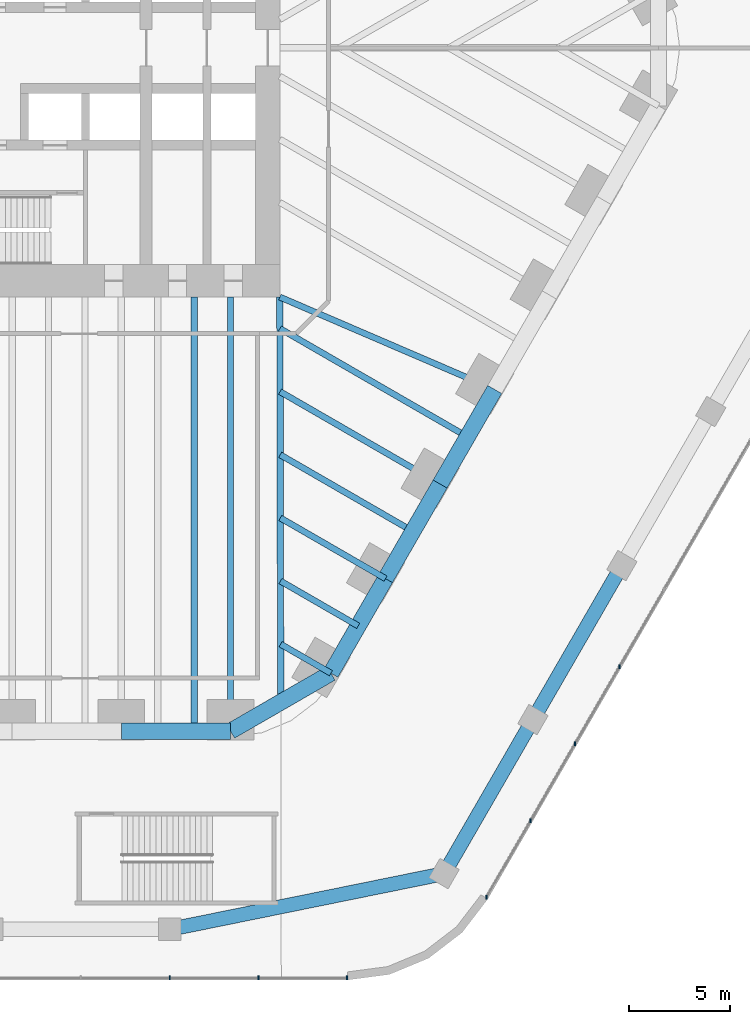
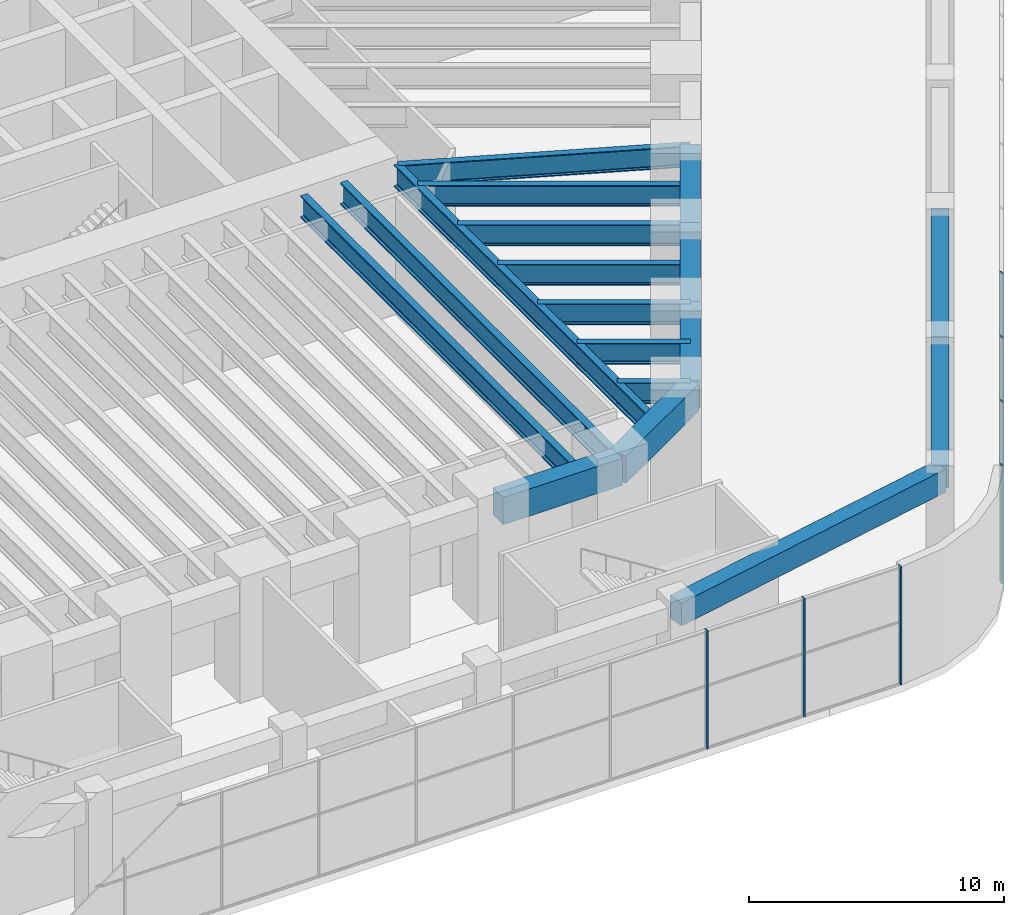
# One storey, part 11 of 31: 18 beams, 7 members, 2 elements without a shape of their own.
"""IFC4 building model written with IfcOpenShell, lengths in metres."""

from ifc_helpers import new_model, si_unit, direction, frame, origin, origin_2d, place, context, subcontext, project, spatial, rectangle, i_section, extrude, material, material_profile, profile_set, type_object, element, aggregate, save


model = new_model("IFC4")

# Units and contexts
model_context = context("Model", 3, precision=1e-05, world=origin(), true_north=direction((0.0, 1.0)))
body_context = subcontext(model_context, "Body", "Model", "MODEL_VIEW")
ifc_project = project(units=[si_unit("LENGTHUNIT", "METRE"), si_unit("AREAUNIT", "SQUARE_METRE"), si_unit("VOLUMEUNIT", "CUBIC_METRE"), si_unit("PLANEANGLEUNIT", "RADIAN"), si_unit("MASSUNIT", "GRAM", prefix="KILO")], contexts=[model_context])

# Site, building, storey
site_placement = place(None, origin())
site = spatial("IfcSite", under=ifc_project, at=site_placement, CompositionType="ELEMENT")
building_placement = place(site_placement, origin())
building = spatial("IfcBuilding", under=site, at=building_placement, Name="Tarfa Lantern Tower", CompositionType="ELEMENT")
storey_placement = place(building_placement, frame((0.0, 0.0, 7.0)))
storey = spatial("IfcBuildingStorey", under=building, at=storey_placement, Name="L01", CompositionType="ELEMENT", Elevation=7.0)

# Curtain wall, members
ifc_material_1 = material(Name="Aluminium framed curtain wall", Category="aluminium")
curtain_wall_type = type_object("IfcCurtainWallType", Name="CW7 PODIUM GLAZING 5650", PredefinedType="USERDEFINED", material=ifc_material_1)
curtain_wall_1_placement = place(storey_placement, origin())
curtain_wall_1 = element("IfcCurtainWall", 1, at=curtain_wall_1_placement, inside=storey, type_object=curtain_wall_type, Name="CW7 S L01", ObjectType="CURTAIN WALL", PredefinedType="USERDEFINED")
ifc_material_2 = material(Name="Aluminium mullion", Category="aluminium")
ifc_material_profile_1 = material_profile(ifc_material_2, rectangle(XDim=0.06494140625, YDim=0.199951171875, at=origin_2d()), Name="AL MULLION 65x200")
ifc_profile_set_1 = profile_set([ifc_material_profile_1], Name="Aluminium mullion")
member_type = type_object("IfcMemberType", Name="CWM1 MULLION 65x200", PredefinedType="MULLION", material=ifc_profile_set_1)
member_1_placement = place(storey_placement, frame((13.16357421875, -45.89990234375, 0.0), z_axis=(0.0, 0.0, 1.0), x_axis=(1.0, 0.0, 0.0)))
member_1 = element("IfcMember", 2, at=member_1_placement, type_object=member_type, Name="CW7 mullion 9", PredefinedType="MULLION", context=body_context, shape_type="SweptSolid", body=[
    extrude(rectangle(XDim=0.06494140625, YDim=0.199951171875, at=origin_2d()), origin(), (0.0, 0.0, 1.0), 5.64990234375),
])
member_2_placement = place(storey_placement, frame((17.551513671875, -45.89990234375, 0.0), z_axis=(0.0, 0.0, 1.0), x_axis=(1.0, 0.0, 0.0)))
member_2 = element("IfcMember", 3, at=member_2_placement, type_object=member_type, Name="CW7 mullion 10", PredefinedType="MULLION", context=body_context, shape_type="SweptSolid", body=[
    extrude(rectangle(XDim=0.06494140625, YDim=0.199951171875, at=origin_2d()), origin(), (0.0, 0.0, 1.0), 5.64990234375),
])
member_3_placement = place(storey_placement, frame((21.90673828125, -45.89990234375, 0.0), z_axis=(0.0, 0.0, 1.0), x_axis=(1.0, 0.0, 0.0)))
member_3 = element("IfcMember", 4, at=member_3_placement, type_object=member_type, Name="CW7 mullion 11", PredefinedType="MULLION", context=body_context, shape_type="SweptSolid", body=[
    extrude(rectangle(XDim=0.06494140625, YDim=0.199951171875, at=origin_2d()), origin(), (0.0, 0.0, 1.0), 5.64990234375),
])
aggregate(curtain_wall_1, [member_1, member_2, member_3])

curtain_wall_2_placement = place(storey_placement, origin())
curtain_wall_2 = element("IfcCurtainWall", 5, at=curtain_wall_2_placement, inside=storey, type_object=curtain_wall_type, Name="CW7 SE L01", ObjectType="CURTAIN WALL", PredefinedType="USERDEFINED")
member_4_placement = place(storey_placement, frame((28.797119140625, -41.921875, 0.0), z_axis=(0.0, 0.0, 1.0), x_axis=(1.0, 0.0, 0.0)))
member_4 = element("IfcMember", 6, at=member_4_placement, type_object=member_type, Name="CW7 mullion 1", PredefinedType="MULLION", context=body_context, shape_type="SweptSolid", body=[
    extrude(rectangle(XDim=0.06494140625, YDim=0.199951171875, at=origin_2d()), origin(), (0.0, 0.0, 1.0), 5.64990234375),
])
member_5_placement = place(storey_placement, frame((30.974853515625, -38.14990234375, 0.0), z_axis=(0.0, 0.0, 1.0), x_axis=(1.0, 0.0, 0.0)))
member_5 = element("IfcMember", 7, at=member_5_placement, type_object=member_type, Name="CW7 mullion 2", PredefinedType="MULLION", context=body_context, shape_type="SweptSolid", body=[
    extrude(rectangle(XDim=0.06494140625, YDim=0.199951171875, at=origin_2d()), origin(), (0.0, 0.0, 1.0), 5.64990234375),
])
member_6_placement = place(storey_placement, frame((33.168701171875, -34.35009765625, 0.0), z_axis=(0.0, 0.0, 1.0), x_axis=(1.0, 0.0, 0.0)))
member_6 = element("IfcMember", 8, at=member_6_placement, type_object=member_type, Name="CW7 mullion 3", PredefinedType="MULLION", context=body_context, shape_type="SweptSolid", body=[
    extrude(rectangle(XDim=0.06494140625, YDim=0.199951171875, at=origin_2d()), origin(), (0.0, 0.0, 1.0), 5.64990234375),
])
member_7_placement = place(storey_placement, frame((35.36279296875, -30.550048828125, 0.0), z_axis=(0.0, 0.0, 1.0), x_axis=(1.0, 0.0, 0.0)))
member_7 = element("IfcMember", 9, at=member_7_placement, type_object=member_type, Name="CW7 mullion 4", PredefinedType="MULLION", context=body_context, shape_type="SweptSolid", body=[
    extrude(rectangle(XDim=0.06494140625, YDim=0.199951171875, at=origin_2d()), origin(), (0.0, 0.0, 1.0), 5.64990234375),
])
aggregate(curtain_wall_2, [member_4, member_5, member_6, member_7])

# Beams
ifc_material_3 = material(Name="Concrete C80/95", Category="concrete")
ifc_material_profile_2 = material_profile(ifc_material_3, rectangle(XDim=0.800048828125, YDim=1.300048828125, at=origin_2d()), Name="RC 800x1300")
ifc_profile_set_2 = profile_set([ifc_material_profile_2], Name="Concrete C80/95")
beam_type_1 = type_object("IfcBeamType", Name="EB1 RC 800x1300", PredefinedType="SPANDREL", material=ifc_profile_set_2)
beam_1_placement = place(storey_placement, frame((10.777099609375, -33.719970703125, 5.0), z_axis=(1.0, 0.0, 0.0), x_axis=(0.0, 1.0, 0.0)))
element("IfcBeam", 10, at=beam_1_placement, inside=storey, type_object=beam_type_1, Name="Edge beam S5", PredefinedType="SPANDREL", context=body_context, shape_type="SweptSolid", body=[
    extrude(rectangle(XDim=0.800048828125, YDim=1.300048828125, at=origin_2d()), origin(), (0.0, 0.0, 1.0), 5.388671875),
])
beam_2_placement = place(storey_placement, frame((16.165771484375, -33.719970703125, 5.0), z_axis=(0.866033479681, 0.499986011877, 0.0), x_axis=(-0.499986011877, 0.866033479681, 0.0)))
element("IfcBeam", 11, at=beam_2_placement, inside=storey, type_object=beam_type_1, Name="Edge beam S6", PredefinedType="SPANDREL", context=body_context, shape_type="SweptSolid", body=[
    extrude(rectangle(XDim=0.800048828125, YDim=1.300048828125, at=origin_2d()), origin(), (0.0, 0.0, 1.0), 5.719970703125),
])
for number, where, z_axis, x_axis, name in (
    (12, (21.119384765625, -30.860107421875, 5.0), (0.499998287579, 0.866026392449, 0.0), (-0.866026392449, 0.499998287579, 0.0), "Edge beam SE0"),
    (13, (23.813720703125, -26.193359375, 5.0), (0.499998287579, 0.866026392449, 0.0), (-0.866026392449, 0.499998287579, 0.0), "Edge beam SE1"),
):
    element("IfcBeam", number, at=place(storey_placement, frame(where, z_axis=z_axis, x_axis=x_axis)), inside=storey, type_object=beam_type_1, Name=name, PredefinedType="SPANDREL", context=body_context, shape_type="SweptSolid", body=[
        extrude(rectangle(XDim=0.800048828125, YDim=1.300048828125, at=origin_2d()), origin(), (0.0, 0.0, 1.0), 5.388671875),
    ])
beam_3_placement = place(storey_placement, frame((26.508056640625, -21.526611328125, 5.0), z_axis=(0.500017906299, 0.866015065331, 0.0), x_axis=(-0.866015065331, 0.500017906299, 0.0)))
element("IfcBeam", 14, at=beam_3_placement, inside=storey, type_object=beam_type_1, Name="Edge beam SE2", PredefinedType="SPANDREL", context=body_context, shape_type="SweptSolid", body=[
    extrude(rectangle(XDim=0.800048828125, YDim=1.300048828125, at=origin_2d()), origin(), (0.0, 0.0, 1.0), 5.388427734375),
])
ifc_material_profile_3 = material_profile(ifc_material_3, rectangle(XDim=0.699951171875, YDim=1.10009765625, at=origin_2d()), Name="RC 700x1100")
ifc_profile_set_3 = profile_set([ifc_material_profile_3], Name="Concrete C80/95")
beam_type_2 = type_object("IfcBeamType", Name="PB1 RC 700x1100", PredefinedType="BEAM", material=ifc_profile_set_3)
beam_4_placement = place(storey_placement, frame((13.16357421875, -43.5, 5.10009765625), z_axis=(0.979988342999, 0.199054885863, 0.0), x_axis=(-0.199054885863, 0.979988342999, 0.0)))
element("IfcBeam", 15, at=beam_4_placement, inside=storey, type_object=beam_type_2, Name="Podium ring beam S4", PredefinedType="BEAM", context=body_context, shape_type="SweptSolid", body=[
    extrude(rectangle(XDim=0.699951171875, YDim=1.10009765625, at=origin_2d()), origin(), (0.0, 0.0, 1.0), 13.815185546875),
])
beam_5_placement = place(storey_placement, frame((26.702392578125, -40.75, 5.10009765625), z_axis=(0.50000179687, 0.866024366359, 0.0), x_axis=(-0.866024366359, 0.50000179687, 0.0)))
element("IfcBeam", 16, at=beam_5_placement, inside=storey, type_object=beam_type_2, Name="Podium ring beam SE0", PredefinedType="BEAM", context=body_context, shape_type="SweptSolid", body=[
    extrude(rectangle(XDim=0.699951171875, YDim=1.10009765625, at=origin_2d()), origin(), (0.0, 0.0, 1.0), 8.77587890625),
])
beam_6_placement = place(storey_placement, frame((31.09033203125, -33.14990234375, 5.10009765625), z_axis=(0.500013843384, 0.866017411155, 0.0), x_axis=(-0.866017411155, 0.500013843384, 0.0)))
element("IfcBeam", 17, at=beam_6_placement, inside=storey, type_object=beam_type_2, Name="Podium ring beam SE1", PredefinedType="BEAM", context=body_context, shape_type="SweptSolid", body=[
    extrude(rectangle(XDim=0.699951171875, YDim=1.10009765625, at=origin_2d()), origin(), (0.0, 0.0, 1.0), 8.775634765625),
])
ifc_material_4 = material(Name="Steel S460M", Category="steel")
ifc_material_profile_4 = material_profile(ifc_material_4, i_section(OverallWidth=0.302001953125, OverallDepth=1.008056640625, WebThickness=0.02099609375, FlangeThickness=0.0400390625, FilletRadius=0.030029296875, at=origin_2d()), Name="UB1016x305x349")
ifc_profile_set_4 = profile_set([ifc_material_profile_4], Name="Steel S460M")
beam_type_3 = type_object("IfcBeamType", Name="UB1016x305x349", PredefinedType="BEAM", material=ifc_profile_set_4)
beam_7_placement = place(storey_placement, frame((21.119384765625, -30.860107421875, 5.14599609375), z_axis=(-0.866012580594, 0.500022209759, 0.0), x_axis=(-0.500022209759, -0.866012580594, 0.0)))
element("IfcBeam", 18, at=beam_7_placement, inside=storey, type_object=beam_type_3, Name="Floor beam SE0", PredefinedType="BEAM", context=body_context, shape_type="SweptSolid", body=[
    extrude(i_section(OverallWidth=0.302001953125, OverallDepth=1.008056640625, WebThickness=0.02099609375, FlangeThickness=0.0400390625, FilletRadius=0.030029296875, at=origin_2d()), origin(), (0.0, 0.0, 1.0), 2.866943359375),
])
beam_8_placement = place(storey_placement, frame((23.813720703125, -26.193359375, 5.14599609375), z_axis=(-0.866015997389, 0.500016292001, 0.0), x_axis=(-0.500016292001, -0.866015997389, 0.0)))
element("IfcBeam", 19, at=beam_8_placement, inside=storey, type_object=beam_type_3, Name="Floor beam SE1", PredefinedType="BEAM", context=body_context, shape_type="SweptSolid", body=[
    extrude(i_section(OverallWidth=0.302001953125, OverallDepth=1.008056640625, WebThickness=0.02099609375, FlangeThickness=0.0400390625, FilletRadius=0.030029296875, at=origin_2d()), origin(), (0.0, 0.0, 1.0), 5.993408203125),
])
beam_9_placement = place(storey_placement, frame((26.508056640625, -21.526611328125, 5.14599609375), z_axis=(-0.866035355799, 0.49998276221, 0.0), x_axis=(-0.49998276221, -0.866035355799, 0.0)))
element("IfcBeam", 20, at=beam_9_placement, inside=storey, type_object=beam_type_3, Name="Floor beam SE2", PredefinedType="BEAM", context=body_context, shape_type="SweptSolid", body=[
    extrude(i_section(OverallWidth=0.302001953125, OverallDepth=1.008056640625, WebThickness=0.02099609375, FlangeThickness=0.0400390625, FilletRadius=0.030029296875, at=origin_2d()), origin(), (0.0, 0.0, 1.0), 9.119873046875),
])
beam_10_placement = place(storey_placement, frame((29.202392578125, -16.860107421875, 5.14599609375), z_axis=(-0.918635483867, 0.395106122175, 0.0), x_axis=(-0.395106122175, -0.918635483867, 0.0)))
element("IfcBeam", 21, at=beam_10_placement, inside=storey, type_object=beam_type_3, Name="Floor beam SE3", PredefinedType="BEAM", context=body_context, shape_type="SweptSolid", body=[
    extrude(i_section(OverallWidth=0.302001953125, OverallDepth=1.008056640625, WebThickness=0.02099609375, FlangeThickness=0.0400390625, FilletRadius=0.030029296875, at=origin_2d()), origin(), (0.0, 0.0, 1.0), 11.541259765625),
])
beam_11_placement = place(storey_placement, frame((22.466552734375, -28.526611328125, 5.14599609375), z_axis=(-0.866026823135, 0.499997541604, 0.0), x_axis=(-0.499997541604, -0.866026823135, 0.0)))
element("IfcBeam", 22, at=beam_11_placement, inside=storey, type_object=beam_type_3, Name="Floor beam SE0M", PredefinedType="BEAM", context=body_context, shape_type="SweptSolid", body=[
    extrude(i_section(OverallWidth=0.302001953125, OverallDepth=1.008056640625, WebThickness=0.02099609375, FlangeThickness=0.0400390625, FilletRadius=0.030029296875, at=origin_2d()), origin(), (0.0, 0.0, 1.0), 4.43017578125),
])
beam_12_placement = place(storey_placement, frame((25.160888671875, -23.860107421875, 5.14599609375), z_axis=(-0.866009650502, 0.500027284493, 0.0), x_axis=(-0.500027284493, -0.866009650502, 0.0)))
element("IfcBeam", 23, at=beam_12_placement, inside=storey, type_object=beam_type_3, Name="Floor beam SE1M", PredefinedType="BEAM", context=body_context, shape_type="SweptSolid", body=[
    extrude(i_section(OverallWidth=0.302001953125, OverallDepth=1.008056640625, WebThickness=0.02099609375, FlangeThickness=0.0400390625, FilletRadius=0.030029296875, at=origin_2d()), origin(), (0.0, 0.0, 1.0), 7.556640625),
])
beam_13_placement = place(storey_placement, frame((27.855224609375, -19.193359375, 5.14599609375), z_axis=(-0.866028034017, 0.499995444275, 0.0), x_axis=(-0.499995444275, -0.866028034017, 0.0)))
element("IfcBeam", 24, at=beam_13_placement, inside=storey, type_object=beam_type_3, Name="Floor beam SE2M", PredefinedType="BEAM", context=body_context, shape_type="SweptSolid", body=[
    extrude(i_section(OverallWidth=0.302001953125, OverallDepth=1.008056640625, WebThickness=0.02099609375, FlangeThickness=0.0400390625, FilletRadius=0.030029296875, at=origin_2d()), origin(), (0.0, 0.0, 1.0), 10.68310546875),
])
ifc_material_profile_5 = material_profile(ifc_material_4, i_section(OverallWidth=0.314208984375, OverallDepth=1.055908203125, WebThickness=0.035888671875, FlangeThickness=0.06396484375, FilletRadius=0.030029296875, at=origin_2d()), Name="UB1016x305x584")
ifc_profile_set_5 = profile_set([ifc_material_profile_5], Name="Steel S460M")
beam_type_4 = type_object("IfcBeamType", Name="UB1016x305x584", PredefinedType="BEAM", material=ifc_profile_set_5)
beam_14_placement = place(storey_placement, frame((18.60009765625, -12.300048828125, 5.1220703125), z_axis=(0.00212508222, -0.99999774201, 0.0), x_axis=(0.99999774201, 0.00212508222, 0.0)))
element("IfcBeam", 25, at=beam_14_placement, inside=storey, type_object=beam_type_4, Name="Hip girder SE", PredefinedType="BEAM", context=body_context, shape_type="SweptSolid", body=[
    extrude(i_section(OverallWidth=0.314208984375, OverallDepth=1.055908203125, WebThickness=0.035888671875, FlangeThickness=0.06396484375, FilletRadius=0.030029296875, at=origin_2d()), origin(), (0.0, 0.0, 1.0), 19.989990234375),
])
for number, where, z_axis, x_axis, name in (
    (26, (16.165771484375, -33.719970703125, 5.1220703125), (0.0, 1.0, 0.0), (-1.0, 0.0, 0.0), "Floor beam S6"),
    (27, (14.36962890625, -33.719970703125, 5.1220703125), (0.0, 1.0, 0.0), (-1.0, 0.0, 0.0), "Floor beam S5M2"),
):
    element("IfcBeam", number, at=place(storey_placement, frame(where, z_axis=z_axis, x_axis=x_axis)), inside=storey, type_object=beam_type_4, Name=name, PredefinedType="BEAM", context=body_context, shape_type="SweptSolid", body=[
        extrude(i_section(OverallWidth=0.314208984375, OverallDepth=1.055908203125, WebThickness=0.035888671875, FlangeThickness=0.06396484375, FilletRadius=0.030029296875, at=origin_2d()), origin(), (0.0, 0.0, 1.0), 21.419921875),
    ])

save(model, "model.ifc")
